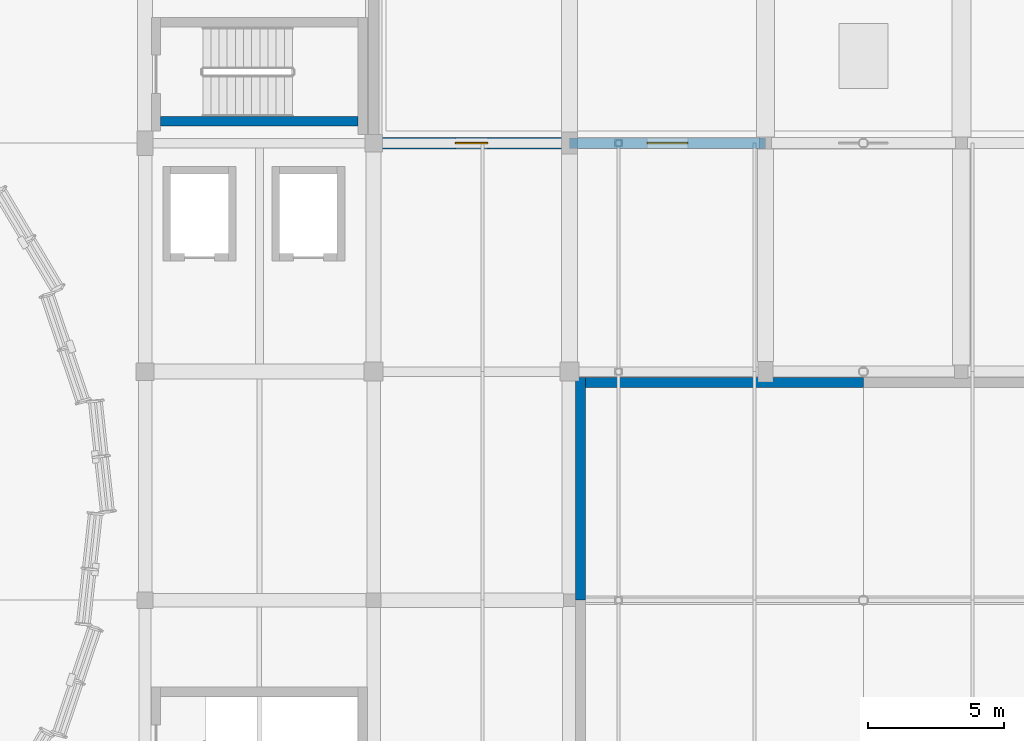
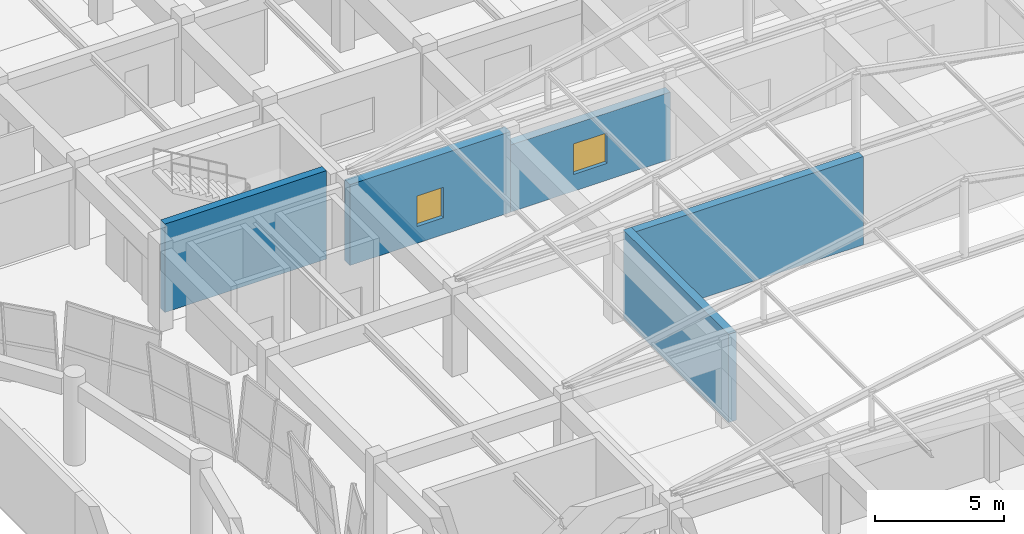
# One storey, part 57 of 74: 5 walls, 2 windows, 2 openings.
"""IFC4 building model written with IfcOpenShell, lengths in metres."""

from ifc_helpers import new_model, si_unit, direction, frame, frame_2d, origin, place, context, subcontext, project, spatial, rectangle, extrude, material, layer, layer_set, type_object, element, fill, save


model = new_model("IFC4")

# Units and contexts
model_context = context("Model", 3, precision=1e-05, world=origin(), true_north=direction((0.0, 1.0)))
body_context = subcontext(model_context, "Body", "Model", "MODEL_VIEW")
ifc_project = project(units=[si_unit("LENGTHUNIT", "METRE"), si_unit("AREAUNIT", "SQUARE_METRE"), si_unit("VOLUMEUNIT", "CUBIC_METRE"), si_unit("PLANEANGLEUNIT", "RADIAN"), si_unit("MASSUNIT", "GRAM", prefix="KILO")], contexts=[model_context])

# Site, building, storey
site_placement = place(None, origin())
site = spatial("IfcSite", under=ifc_project, at=site_placement, CompositionType="ELEMENT")
building_placement = place(site_placement, origin())
building = spatial("IfcBuilding", under=site, at=building_placement, Name="Korsvaeld Concert Hall", CompositionType="ELEMENT")
storey_placement = place(building_placement, frame((0.0, 0.0, 9.0)))
storey = spatial("IfcBuildingStorey", under=building, at=storey_placement, Name="L02", CompositionType="ELEMENT", Elevation=9.0)

# Wall
ifc_material_1 = material(Name="Concrete C40/50", Category="concrete")
ifc_layer_1 = layer(ifc_material_1, 0.340087890625)
ifc_layer_set_1 = layer_set([ifc_layer_1], Name="Concrete C40/50")
wall_type_1 = type_object("IfcWallType", Name="WL-CORE-340", PredefinedType="SHEAR", material=ifc_layer_set_1)
wall_1_placement = place(storey_placement, frame((109.77001953125, 77.60009765625, 0.0), z_axis=(0.0, 0.0, 1.0), x_axis=(1.0, 0.0, 0.0)))
element("IfcWall", 1, at=wall_1_placement, inside=storey, type_object=wall_type_1, Name="Core K2 shear wall L02 S", PredefinedType="SHEAR", context=body_context, shape_type="SweptSolid", body=[
    extrude(rectangle(XDim=7.260009765625, YDim=0.340087890625, at=frame_2d((3.6298828125, 0.0))), origin(), (0.0, 0.0, 1.0), 4.199951171875),
])

# Wall, opening, window
ifc_material_2 = material(Name="Obernkirchener buff sandstone rainscreen on Concrete C35/45", Category="masonry")
ifc_layer_2 = layer(ifc_material_2, 0.389892578125)
ifc_layer_set_2 = layer_set([ifc_layer_2], Name="Obernkirchener buff sandstone rainscreen on Concrete C35/45")
wall_type_2 = type_object("IfcWallType", Name="WL-EXT-BUFF-390", PredefinedType="STANDARD", material=ifc_layer_set_2)
wall_2_placement = place(storey_placement, frame((124.800048828125, 76.800048828125, 0.0), z_axis=(0.0, 0.0, 1.0), x_axis=(1.0, 0.0, 0.0)))
wall_2 = element("IfcWall", 2, at=wall_2_placement, inside=storey, type_object=wall_type_2, Name="Exterior sandstone wall L02-266", PredefinedType="STANDARD", context=body_context, shape_type="SweptSolid", body=[
    extrude(rectangle(XDim=7.199951171875, YDim=0.389892578125, at=frame_2d((3.60009765625, 0.0))), origin(), (0.0, 0.0, 1.0), 3.18994140625),
])
opening_1_placement = place(wall_2_placement, frame((2.85009765625, 0.0, 0.800048828125)))
opening_1 = element("IfcOpeningElement", 3, at=opening_1_placement, cuts=wall_2, Name="Opening WN-07", PredefinedType="OPENING", context=body_context, shape_type="SweptSolid", body=[
    extrude(rectangle(XDim=1.5, YDim=1.449951171875, at=frame_2d((0.75, 0.72509765625))), frame((0.0, 0.205078125, 0.0), z_axis=(0.0, -1.0, 0.0), x_axis=(1.0, 0.0, 0.0)), (0.0, 0.0, 1.0), 0.409912109375),
])
ifc_material_3 = material(Name="Anodised bronze frame with acoustic triple glazing", Category="glass")
window_type_1 = type_object("IfcWindowType", Name="WIN-AC-150x145", PartitioningType="SINGLE_PANEL", PredefinedType="WINDOW", material=ifc_material_3)
window_1_placement = place(opening_1_placement, origin())
window_1 = element("IfcWindow", 4, at=window_1_placement, inside=storey, type_object=window_type_1, Name="Acoustic triple-glazed window L02-169", OverallHeight=1.449951171875, OverallWidth=1.5, PartitioningType="SINGLE_PANEL", PredefinedType="WINDOW", context=body_context, shape_type="SweptSolid", body=[
    extrude(rectangle(XDim=1.5, YDim=1.449951171875, at=frame_2d((0.75, 0.72509765625))), frame((0.0, 0.030029296875, 0.0), z_axis=(0.0, -1.0, 0.0), x_axis=(1.0, 0.0, 0.0)), (0.0, 0.0, 1.0), 0.06005859375),
])
fill(opening_1, window_1)

ifc_material_4 = material(Name="Bornholm Nexo rose-red sandstone rainscreen on Concrete C35/45", Category="masonry")
ifc_layer_3 = layer(ifc_material_4, 0.419921875)
ifc_layer_set_3 = layer_set([ifc_layer_3], Name="Bornholm Nexo rose-red sandstone rainscreen on Concrete C35/45")
wall_type_3 = type_object("IfcWallType", Name="WL-EXT-NEXO-420", PredefinedType="STANDARD", material=ifc_layer_set_3)
wall_3_placement = place(storey_placement, frame((117.60009765625, 76.800048828125, 0.0), z_axis=(0.0, 0.0, 1.0), x_axis=(1.0, 0.0, 0.0)))
wall_3 = element("IfcWall", 5, at=wall_3_placement, inside=storey, type_object=wall_type_3, Name="Exterior sandstone wall L02-265", PredefinedType="STANDARD", context=body_context, shape_type="SweptSolid", body=[
    extrude(rectangle(XDim=7.199951171875, YDim=0.419921875, at=frame_2d((3.60009765625, 0.0))), origin(), (0.0, 0.0, 1.0), 3.840087890625),
])
opening_2_placement = place(wall_3_placement, frame((3.0, 0.0, 0.800048828125)))
opening_2 = element("IfcOpeningElement", 6, at=opening_2_placement, cuts=wall_3, Name="Opening WN-06", PredefinedType="OPENING", context=body_context, shape_type="SweptSolid", body=[
    extrude(rectangle(XDim=1.199951171875, YDim=1.449951171875, at=frame_2d((0.60009765625, 0.72509765625))), frame((0.0, 0.219970703125, 0.0), z_axis=(0.0, -1.0, 0.0), x_axis=(1.0, 0.0, 0.0)), (0.0, 0.0, 1.0), 0.43994140625),
])
window_type_2 = type_object("IfcWindowType", Name="WIN-AC-120x145", PartitioningType="SINGLE_PANEL", PredefinedType="WINDOW", material=ifc_material_3)
window_2_placement = place(opening_2_placement, origin())
window_2 = element("IfcWindow", 7, at=window_2_placement, inside=storey, type_object=window_type_2, Name="Acoustic triple-glazed window L02-168", OverallHeight=1.449951171875, OverallWidth=1.199951171875, PartitioningType="SINGLE_PANEL", PredefinedType="WINDOW", context=body_context, shape_type="SweptSolid", body=[
    extrude(rectangle(XDim=1.199951171875, YDim=1.449951171875, at=frame_2d((0.60009765625, 0.72509765625))), frame((0.0, 0.030029296875, 0.0), z_axis=(0.0, -1.0, 0.0), x_axis=(1.0, 0.0, 0.0)), (0.0, 0.0, 1.0), 0.06005859375),
])
fill(opening_2, window_2)

# Walls
ifc_material_5 = material(Name="Bornholm Nexo crimson sandstone on Concrete C40/50", Category="masonry")
ifc_layer_4 = layer(ifc_material_5, 0.360107421875)
ifc_layer_set_4 = layer_set([ifc_layer_4], Name="Bornholm Nexo crimson sandstone on Concrete C40/50")
wall_type_4 = type_object("IfcWallType", Name="WL-HALL-360", PredefinedType="SHEAR", material=ifc_layer_set_4)
wall_4_placement = place(storey_placement, frame((135.60009765625, 68.0, 0.0), z_axis=(0.0, 0.0, 1.0), x_axis=(-1.0, 0.0, 0.0)))
element("IfcWall", 8, at=wall_4_placement, inside=storey, type_object=wall_type_4, Name="Acoustic hall box wall V2H L02 N.2", PredefinedType="SHEAR", context=body_context, shape_type="SweptSolid", body=[
    extrude(rectangle(XDim=10.22021484375, YDim=0.360107421875, at=frame_2d((5.110107421875, 0.0))), origin(), (0.0, 0.0, 1.0), 4.199951171875),
])
wall_5_placement = place(storey_placement, frame((125.199951171875, 68.179931640625, 0.0), z_axis=(0.0, 0.0, 1.0), x_axis=(0.0, -1.0, 0.0)))
element("IfcWall", 9, at=wall_5_placement, inside=storey, type_object=wall_type_4, Name="Acoustic hall box wall V2H L02 W.1", PredefinedType="SHEAR", context=body_context, shape_type="SweptSolid", body=[
    extrude(rectangle(XDim=8.179931640625, YDim=0.360107421875, at=frame_2d((4.08984375, 0.0))), origin(), (0.0, 0.0, 1.0), 4.199951171875),
])

save(model, "model.ifc")
